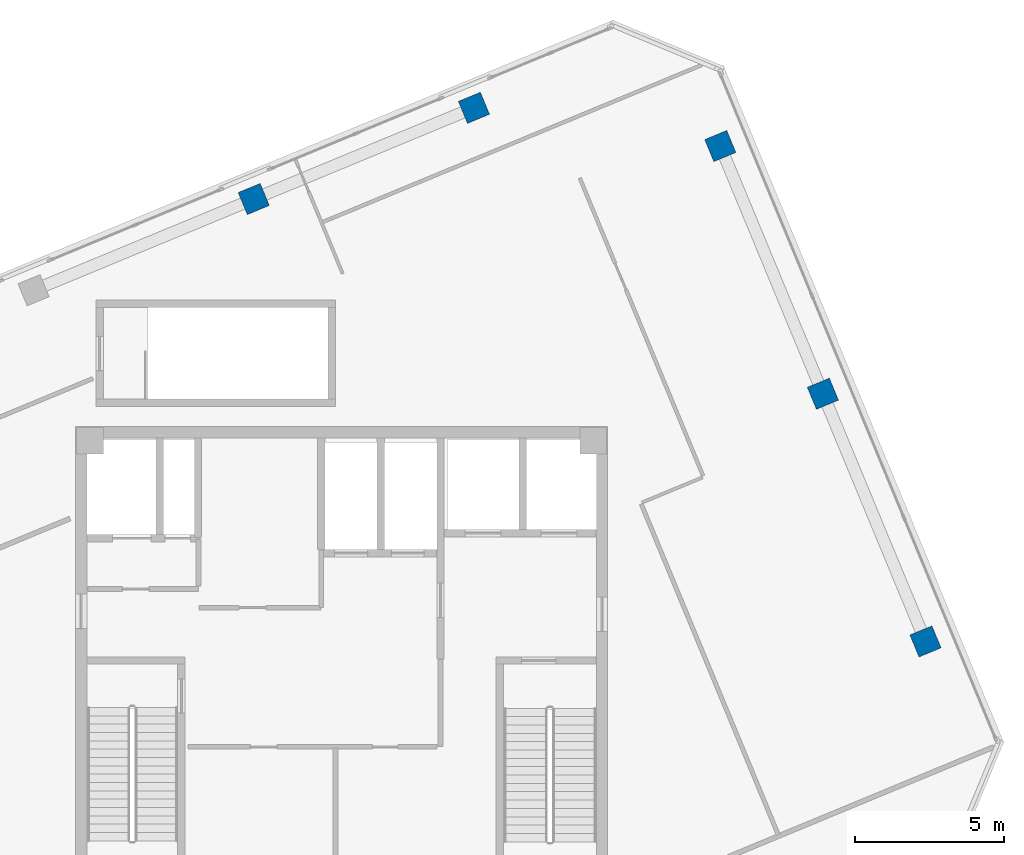
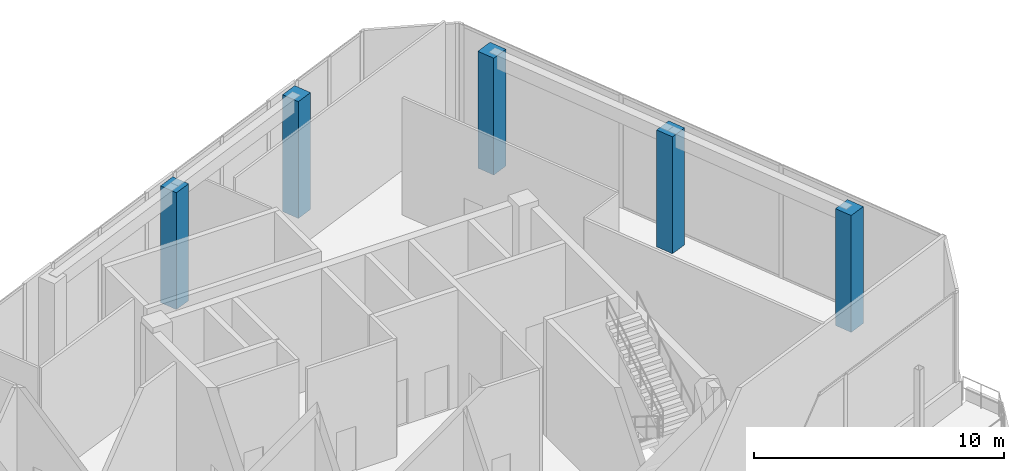
# One storey, part 2 of 16: 5 columns.
"""IFC4 building model written with IfcOpenShell, lengths in metres."""

from ifc_helpers import new_model, si_unit, direction, frame, origin, origin_2d, place, context, subcontext, project, spatial, rectangle, extrude, source, transform, mapped, material, material_profile, profile_set, type_object, element, save


model = new_model("IFC4")

# Units and contexts
model_context = context("Model", 3, precision=1e-05, world=origin(), true_north=direction((0.0, 1.0)))
body_context = subcontext(model_context, "Body", "Model", "MODEL_VIEW")
ifc_project = project(units=[si_unit("LENGTHUNIT", "METRE"), si_unit("AREAUNIT", "SQUARE_METRE"), si_unit("VOLUMEUNIT", "CUBIC_METRE"), si_unit("PLANEANGLEUNIT", "RADIAN"), si_unit("MASSUNIT", "GRAM", prefix="KILO")], contexts=[model_context])

# Site, building, storey
site_placement = place(None, origin())
site = spatial("IfcSite", under=ifc_project, at=site_placement, CompositionType="ELEMENT")
building_placement = place(site_placement, origin())
building = spatial("IfcBuilding", under=site, at=building_placement, Name="Torre Montelarca", CompositionType="ELEMENT")
storey_placement = place(building_placement, frame((0.0, 0.0, 360.0)))
storey = spatial("IfcBuildingStorey", under=building, at=storey_placement, Name="L81", CompositionType="ELEMENT", Elevation=360.0)

# Columns
ifc_material = material(Name="Concrete C40/50", Category="concrete")
ifc_material_profile = material_profile(ifc_material, rectangle(XDim=0.800048828125, YDim=0.800048828125, at=origin_2d()), Name="RC800X800", Category="concrete")
ifc_profile_set = profile_set([ifc_material_profile], Name="Concrete C40/50")
column_type = type_object("IfcColumnType", Name="COL-RC800", PredefinedType="COLUMN", material=ifc_profile_set)
shared_shape = source(origin(), body_context, "Body", "SweptSolid", [
    extrude(rectangle(XDim=0.800048828125, YDim=0.800048828125, at=origin_2d()), origin(), (0.0, 0.0, 1.0), 5.69921875),
])
for number, where, z_axis, x_axis, name in (
    (1, (30.713134765625, 49.34619140625, 0.000732421875), (0.0, 0.0, 1.0), (-0.382683432365, 0.923879532511, 0.0), "L81 Pavilion Column 2/GN"),
    (2, (34.157470703125, 41.03125, 0.000732421875), (0.0, 0.0, 1.0), (-0.382683432365, 0.923879532511, 0.0), "L81 Pavilion Column 3/GN"),
    (3, (37.6015625, 32.71630859375, 0.000732421875), (0.0, 0.0, 1.0), (-0.382683432365, 0.923879532511, 0.0), "L81 Pavilion Column 4/GN"),
    (4, (15.0517578125, 47.5673828125, 0.000732421875), (0.0, 0.0, 1.0), (-0.382683432365, 0.923879532511, 0.0), "L81 Pavilion Column 1W/E"),
    (5, (22.44287109375, 50.62890625, 0.000732421875), (0.0, 0.0, 1.0), (-0.382683432365, 0.923879532511, 0.0), "L81 Pavilion Column 1W/F"),
):
    element("IfcColumn", number, at=place(storey_placement, frame(where, z_axis=z_axis, x_axis=x_axis)), inside=storey, type_object=column_type, Name=name, PredefinedType="COLUMN", context=body_context, shape_type="MappedRepresentation", body=[
        mapped(shared_shape, transform((0.0, 0.0, 0.0), scale=1.0)),
    ])

save(model, "model.ifc")
